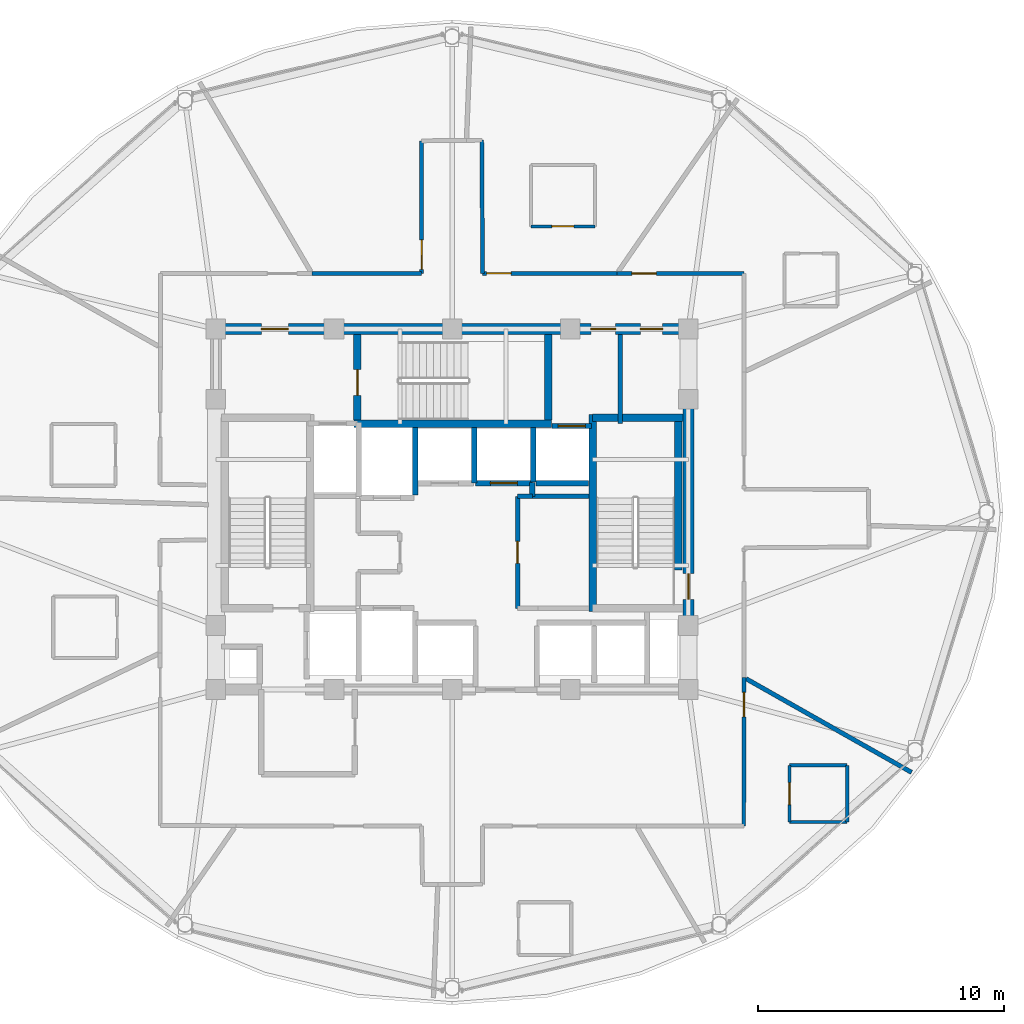
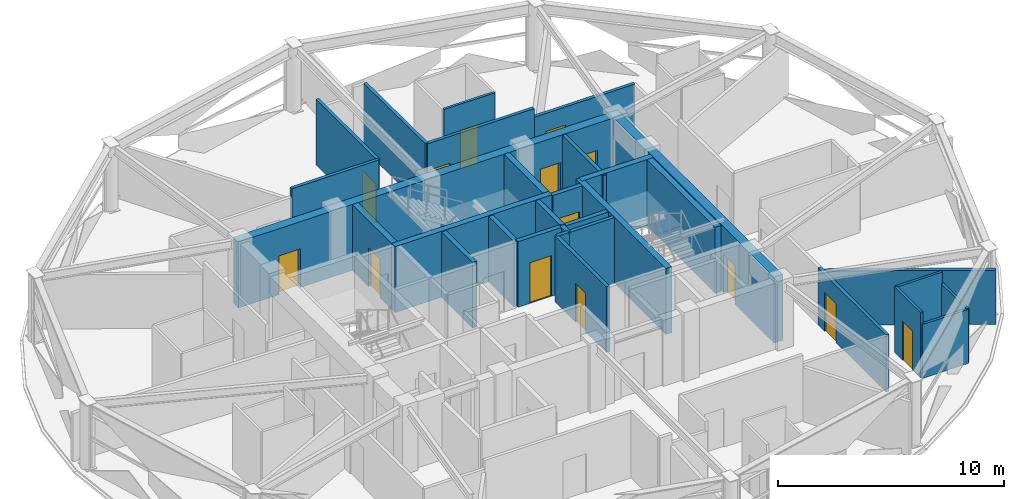
# One storey, part 23 of 28: 31 walls, 14 doors, 14 openings.
"""IFC4 building model written with IfcOpenShell, lengths in metres."""

from ifc_helpers import new_model, si_unit, direction, frame, frame_2d, origin, place, context, subcontext, project, spatial, rectangle, extrude, material, layer, layer_set, type_object, element, fill, save


model = new_model("IFC4")

# Units and contexts
model_context = context("Model", 3, precision=1e-05, world=origin(), true_north=direction((0.0, 1.0)))
body_context = subcontext(model_context, "Body", "Model", "MODEL_VIEW")
ifc_project = project(units=[si_unit("LENGTHUNIT", "METRE"), si_unit("AREAUNIT", "SQUARE_METRE"), si_unit("VOLUMEUNIT", "CUBIC_METRE"), si_unit("PLANEANGLEUNIT", "RADIAN"), si_unit("MASSUNIT", "GRAM", prefix="KILO")], contexts=[model_context])

# Site, building, storey
site_placement = place(None, origin())
site = spatial("IfcSite", under=ifc_project, at=site_placement, CompositionType="ELEMENT")
building_placement = place(site_placement, origin())
building = spatial("IfcBuilding", under=site, at=building_placement, Name="Vantalir Tower", CompositionType="ELEMENT")
storey_placement = place(building_placement, frame((0.0, 0.0, 238.64990234375)))
storey = spatial("IfcBuildingStorey", under=building, at=storey_placement, Name="L60", CompositionType="ELEMENT", Elevation=238.64990234375)

# Wall, opening, door
ifc_material_1 = material(Name="Moisture-resistant en-suite partition", Category="gypsum")
ifc_layer_1 = layer(ifc_material_1, 0.125)
ifc_layer_set_1 = layer_set([ifc_layer_1], Name="Moisture-resistant en-suite partition")
wall_type_1 = type_object("IfcWallType", Name="WL-BATH-125", PredefinedType="PARTITIONING", material=ifc_layer_set_1)
wall_1_placement = place(storey_placement, frame((34.701904296875, 36.623046875, 0.0), z_axis=(0.0, 0.0, 1.0), x_axis=(1.0, 0.0, 0.0)))
wall_1 = element("IfcWall", 1, at=wall_1_placement, inside=storey, type_object=wall_type_1, Name="L60 En-suite 02 South Wall", PredefinedType="PARTITIONING", context=body_context, shape_type="SweptSolid", body=[
    extrude(rectangle(XDim=2.60009765625, YDim=0.125, at=frame_2d((1.300048828125, 0.0))), origin(), (0.0, 0.0, 1.0), 3.550048828125),
])
opening_1_placement = place(wall_1_placement, frame((0.85009765625, 0.0, 0.0)))
opening_1 = element("IfcOpeningElement", 2, at=opening_1_placement, cuts=wall_1, Name="Opening D-WC", PredefinedType="OPENING", context=body_context, shape_type="SweptSolid", body=[
    extrude(rectangle(XDim=0.89990234375, YDim=2.10009765625, at=frame_2d((0.449951171875, 1.050048828125))), frame((0.0, 0.072509765625, 0.0), z_axis=(0.0, -1.0, 0.0), x_axis=(1.0, 0.0, 0.0)), (0.0, 0.0, 1.0), 0.14501953125),
])
ifc_material_2 = material(Name="Moisture-resistant hardwood door", Category="wood")
door_type_1 = type_object("IfcDoorType", Name="DR-ENSUITE-900", OperationType="NOTDEFINED", PredefinedType="DOOR", material=ifc_material_2)
door_1_placement = place(opening_1_placement, origin())
door_1 = element("IfcDoor", 3, at=door_1_placement, inside=storey, type_object=door_type_1, Name="L60 En-suite 02 Door", OperationType="SINGLE_SWING_LEFT", OverallHeight=2.10009765625, OverallWidth=0.89990234375, PredefinedType="DOOR", context=body_context, shape_type="SweptSolid", body=[
    extrude(rectangle(XDim=0.89990234375, YDim=2.10009765625, at=frame_2d((0.449951171875, 1.050048828125))), frame((0.0, 0.02490234375, 0.0), z_axis=(0.0, -1.0, 0.0), x_axis=(1.0, 0.0, 0.0)), (0.0, 0.0, 1.0), 0.050048828125),
])
fill(opening_1, door_1)

# Walls
wall_2_placement = place(storey_placement, frame((45.2060546875, 12.423095703125, 0.0), z_axis=(0.0, 0.0, 1.0), x_axis=(1.0, 0.0, 0.0)))
element("IfcWall", 4, at=wall_2_placement, inside=storey, type_object=wall_type_1, Name="L60 En-suite 10 South Wall", PredefinedType="PARTITIONING", context=body_context, shape_type="SweptSolid", body=[
    extrude(rectangle(XDim=2.349853515625, YDim=0.125, at=frame_2d((1.1748046875, 0.0))), origin(), (0.0, 0.0, 1.0), 2.925048828125),
])
wall_3_placement = place(storey_placement, frame((45.2060546875, 14.722900390625, 0.0), z_axis=(0.0, 0.0, 1.0), x_axis=(1.0, 0.0, 0.0)))
element("IfcWall", 5, at=wall_3_placement, inside=storey, type_object=wall_type_1, Name="L60 En-suite 10 North Wall", PredefinedType="PARTITIONING", context=body_context, shape_type="SweptSolid", body=[
    extrude(rectangle(XDim=2.349853515625, YDim=0.125, at=frame_2d((1.1748046875, 0.0))), origin(), (0.0, 0.0, 1.0), 3.550048828125),
])

# Wall, opening, door
wall_4_placement = place(storey_placement, frame((45.2060546875, 12.423095703125, 0.0), z_axis=(0.0, 0.0, 1.0), x_axis=(0.0, 1.0, 0.0)))
wall_4 = element("IfcWall", 6, at=wall_4_placement, inside=storey, type_object=wall_type_1, Name="L60 En-suite 10 West Wall", PredefinedType="PARTITIONING", context=body_context, shape_type="SweptSolid", body=[
    extrude(rectangle(XDim=2.2998046875, YDim=0.125, at=frame_2d((1.14990234375, 0.0))), origin(), (0.0, 0.0, 1.0), 3.550048828125),
])
opening_2_placement = place(wall_4_placement, frame((0.699951171875, 0.0, 0.0)))
opening_2 = element("IfcOpeningElement", 7, at=opening_2_placement, cuts=wall_4, Name="Opening D-WC", PredefinedType="OPENING", context=body_context, shape_type="SweptSolid", body=[
    extrude(rectangle(XDim=0.89990234375, YDim=2.10009765625, at=frame_2d((0.449951171875, 1.050048828125))), frame((0.0, 0.072509765625, 0.0), z_axis=(0.0, -1.0, 0.0), x_axis=(1.0, 0.0, 0.0)), (0.0, 0.0, 1.0), 0.14501953125),
])
door_2_placement = place(opening_2_placement, frame((0.89990234375, 0.0, 0.0), z_axis=(0.0, 0.0, 1.0), x_axis=(-1.0, 0.0, 0.0)))
door_2 = element("IfcDoor", 8, at=door_2_placement, inside=storey, type_object=door_type_1, Name="L60 En-suite 10 Door", OperationType="SINGLE_SWING_LEFT", OverallHeight=2.10009765625, OverallWidth=0.89990234375, PredefinedType="DOOR", context=body_context, shape_type="SweptSolid", body=[
    extrude(rectangle(XDim=0.89990234375, YDim=2.10009765625, at=frame_2d((0.449951171875, 1.050048828125))), frame((0.0, 0.02490234375, 0.0), z_axis=(0.0, -1.0, 0.0), x_axis=(1.0, 0.0, 0.0)), (0.0, 0.0, 1.0), 0.050048828125),
])
fill(opening_2, door_2)

# Wall
wall_5_placement = place(storey_placement, frame((47.555908203125, 12.423095703125, 0.0), z_axis=(0.0, 0.0, 1.0), x_axis=(0.0, 1.0, 0.0)))
element("IfcWall", 9, at=wall_5_placement, inside=storey, type_object=wall_type_1, Name="L60 En-suite 10 East Wall", PredefinedType="PARTITIONING", context=body_context, shape_type="SweptSolid", body=[
    extrude(rectangle(XDim=2.2998046875, YDim=0.125, at=frame_2d((1.14990234375, 0.0))), origin(), (0.0, 0.0, 1.0), 2.925048828125),
])

# Wall, openings, doors
ifc_material_3 = material(Name="Concrete C50/60", Category="concrete")
ifc_layer_2 = layer(ifc_material_3, 0.449951171875)
ifc_layer_set_2 = layer_set([ifc_layer_2], Name="Concrete C50/60")
wall_type_2 = type_object("IfcWallType", Name="WL-CORE-450", PredefinedType="SHEAR", material=ifc_layer_set_2)
wall_6_placement = place(storey_placement, frame((21.675048828125, 32.449951171875, 0.0), z_axis=(0.0, 0.0, 1.0), x_axis=(1.0, 0.0, 0.0)))
wall_6 = element("IfcWall", 10, at=wall_6_placement, inside=storey, type_object=wall_type_2, Name="L60 Core Shear Wall North", PredefinedType="SHEAR", context=body_context, shape_type="SweptSolid", body=[
    extrude(rectangle(XDim=19.64990234375, YDim=0.449951171875, at=frame_2d((9.824951171875, 0.0))), origin(), (0.0, 0.0, 1.0), 3.570068359375),
])
opening_3_placement = place(wall_6_placement, frame((2.074951171875, 0.0, 0.0)))
opening_3 = element("IfcOpeningElement", 11, at=opening_3_placement, cuts=wall_6, Name="Opening D-FFL", PredefinedType="OPENING", context=body_context, shape_type="SweptSolid", body=[
    extrude(rectangle(XDim=1.10009765625, YDim=2.10009765625, at=frame_2d((0.550048828125, 1.050048828125))), frame((0.0, 0.23486328125, 0.0), z_axis=(0.0, -1.0, 0.0), x_axis=(1.0, 0.0, 0.0)), (0.0, 0.0, 1.0), 0.469970703125),
])
opening_4_placement = place(wall_6_placement, frame((15.465087890625, 0.0, 0.0)))
opening_4 = element("IfcOpeningElement", 12, at=opening_4_placement, cuts=wall_6, Name="Opening D-GUEST", PredefinedType="OPENING", context=body_context, shape_type="SweptSolid", body=[
    extrude(rectangle(XDim=1.0, YDim=2.10009765625, at=frame_2d((0.5, 1.050048828125))), frame((0.0, 0.23486328125, 0.0), z_axis=(0.0, -1.0, 0.0), x_axis=(1.0, 0.0, 0.0)), (0.0, 0.0, 1.0), 0.469970703125),
])
opening_5_placement = place(wall_6_placement, frame((17.47509765625, 0.0, 0.0)))
opening_5 = element("IfcOpeningElement", 13, at=opening_5_placement, cuts=wall_6, Name="Opening D-CR", PredefinedType="OPENING", context=body_context, shape_type="SweptSolid", body=[
    extrude(rectangle(XDim=0.89990234375, YDim=2.10009765625, at=frame_2d((0.449951171875, 1.050048828125))), frame((0.0, 0.23486328125, 0.0), z_axis=(0.0, -1.0, 0.0), x_axis=(1.0, 0.0, 0.0)), (0.0, 0.0, 1.0), 0.469970703125),
])
ifc_material_4 = material(Name="Fire-rated steel core service door", Category="steel")
door_type_2 = type_object("IfcDoorType", Name="DR-CORE-SERV-900", OperationType="NOTDEFINED", PredefinedType="DOOR", material=ifc_material_4)
door_3_placement = place(opening_5_placement, frame((0.89990234375, 0.0, 0.0), z_axis=(0.0, 0.0, 1.0), x_axis=(-1.0, 0.0, 0.0)))
door_3 = element("IfcDoor", 14, at=door_3_placement, inside=storey, type_object=door_type_2, Name="L60 Housekeeping and Linen Room Door", OperationType="SINGLE_SWING_RIGHT", OverallHeight=2.10009765625, OverallWidth=0.89990234375, PredefinedType="DOOR", context=body_context, shape_type="SweptSolid", body=[
    extrude(rectangle(XDim=0.89990234375, YDim=2.10009765625, at=frame_2d((0.449951171875, 1.050048828125))), frame((0.0, 0.02490234375, 0.0), z_axis=(0.0, -1.0, 0.0), x_axis=(1.0, 0.0, 0.0)), (0.0, 0.0, 1.0), 0.050048828125),
])
fill(opening_5, door_3)
ifc_material_5 = material(Name="Fire-rated acoustic steel door", Category="steel")
door_type_3 = type_object("IfcDoorType", Name="DR-FIRE-LOBBY-1100", OperationType="NOTDEFINED", PredefinedType="DOOR", material=ifc_material_5)
door_4_placement = place(opening_3_placement, frame((1.10009765625, 0.0, 0.0), z_axis=(0.0, 0.0, 1.0), x_axis=(-1.0, 0.0, 0.0)))
door_4 = element("IfcDoor", 15, at=door_4_placement, inside=storey, type_object=door_type_3, Name="L60 Firefighting Lobby East Access Door", OperationType="SINGLE_SWING_RIGHT", OverallHeight=2.10009765625, OverallWidth=1.10009765625, PredefinedType="DOOR", context=body_context, shape_type="SweptSolid", body=[
    extrude(rectangle(XDim=1.10009765625, YDim=2.10009765625, at=frame_2d((0.550048828125, 1.050048828125))), frame((0.0, 0.02490234375, 0.0), z_axis=(0.0, -1.0, 0.0), x_axis=(1.0, 0.0, 0.0)), (0.0, 0.0, 1.0), 0.050048828125),
])
fill(opening_3, door_4)
ifc_material_6 = material(Name="Solid-core teak veneer acoustic fire door", Category="wood")
door_type_4 = type_object("IfcDoorType", Name="DR-GUEST-ENTRY-1000", OperationType="NOTDEFINED", PredefinedType="DOOR", material=ifc_material_6)
door_5_placement = place(opening_4_placement, frame((1.0, 0.0, 0.0), z_axis=(0.0, 0.0, 1.0), x_axis=(-1.0, 0.0, 0.0)))
door_5 = element("IfcDoor", 16, at=door_5_placement, inside=storey, type_object=door_type_4, Name="L60 High-Rise Lift Lobby Door", OperationType="SINGLE_SWING_LEFT", OverallHeight=2.10009765625, OverallWidth=1.0, PredefinedType="DOOR", context=body_context, shape_type="SweptSolid", body=[
    extrude(rectangle(XDim=1.0, YDim=2.10009765625, at=frame_2d((0.5, 1.050048828125))), frame((0.0, 0.02490234375, 0.0), z_axis=(0.0, -1.0, 0.0), x_axis=(1.0, 0.0, 0.0)), (0.0, 0.0, 1.0), 0.050048828125),
])
fill(opening_4, door_5)

# Wall, opening, door
wall_7_placement = place(storey_placement, frame((41.10009765625, 18.02490234375, 0.0), z_axis=(0.0, 0.0, 1.0), x_axis=(0.0, 1.0, 0.0)))
wall_7 = element("IfcWall", 17, at=wall_7_placement, inside=storey, type_object=wall_type_2, Name="L60 Core Shear Wall East", PredefinedType="SHEAR", context=body_context, shape_type="SweptSolid", body=[
    extrude(rectangle(XDim=14.2001953125, YDim=0.449951171875, at=frame_2d((7.10009765625, 0.0))), origin(), (0.0, 0.0, 1.0), 3.570068359375),
])
opening_6_placement = place(wall_7_placement, frame((3.43505859375, 0.0, 0.0)))
opening_6 = element("IfcOpeningElement", 18, at=opening_6_placement, cuts=wall_7, Name="Opening D-ST", PredefinedType="OPENING", context=body_context, shape_type="SweptSolid", body=[
    extrude(rectangle(XDim=1.050048828125, YDim=2.10009765625, at=frame_2d((0.52490234375, 1.050048828125))), frame((0.0, 0.23486328125, 0.0), z_axis=(0.0, -1.0, 0.0), x_axis=(1.0, 0.0, 0.0)), (0.0, 0.0, 1.0), 0.469970703125),
])
ifc_material_7 = material(Name="Fire-rated steel door leaf", Category="steel")
door_type_5 = type_object("IfcDoorType", Name="DR-FIRE-STAIR-1050", OperationType="NOTDEFINED", PredefinedType="DOOR", material=ifc_material_7)
door_6_placement = place(opening_6_placement, origin())
door_6 = element("IfcDoor", 19, at=door_6_placement, inside=storey, type_object=door_type_5, Name="L60 Exit Stair ST2 Fire Door", OperationType="SINGLE_SWING_LEFT", OverallHeight=2.10009765625, OverallWidth=1.050048828125, PredefinedType="DOOR", context=body_context, shape_type="SweptSolid", body=[
    extrude(rectangle(XDim=1.050048828125, YDim=2.10009765625, at=frame_2d((0.52490234375, 1.050048828125))), frame((0.0, 0.02490234375, 0.0), z_axis=(0.0, -1.0, 0.0), x_axis=(1.0, 0.0, 0.0)), (0.0, 0.0, 1.0), 0.050048828125),
])
fill(opening_6, door_6)

# Wall
ifc_material_8 = material(Name="Fire-rated hotel corridor acoustic partition", Category="gypsum")
ifc_layer_3 = layer(ifc_material_8, 0.159912109375)
ifc_layer_set_3 = layer_set([ifc_layer_3], Name="Fire-rated hotel corridor acoustic partition")
wall_type_3 = type_object("IfcWallType", Name="WL-CORR-160", PredefinedType="PARTITIONING", material=ifc_layer_set_3)
wall_8_placement = place(storey_placement, frame((25.799072265625, 34.708984375, 0.0), z_axis=(0.0, 0.0, 1.0), x_axis=(0.999999063997, 0.00136821238, 0.0)))
element("IfcWall", 20, at=wall_8_placement, inside=storey, type_object=wall_type_3, Name="L60 Corridor Partition 05", PredefinedType="PARTITIONING", context=body_context, shape_type="SweptSolid", body=[
    extrude(rectangle(XDim=4.4609375, YDim=0.159912109375, at=frame_2d((2.23046875, 0.0))), origin(), (0.0, 0.0, 1.0), 3.550048828125),
])

# Wall, opening, door
wall_9_placement = place(storey_placement, frame((30.260009765625, 34.715087890625, 0.0), z_axis=(0.0, 0.0, 1.0), x_axis=(0.000544266973, 0.999999851887, 0.0)))
wall_9 = element("IfcWall", 21, at=wall_9_placement, inside=storey, type_object=wall_type_3, Name="L60 Corridor Partition 06", PredefinedType="PARTITIONING", context=body_context, shape_type="SweptSolid", body=[
    extrude(rectangle(XDim=5.3828125, YDim=0.159912109375, at=frame_2d((2.69140625, 0.0))), origin(), (0.0, 0.0, 1.0), 3.550048828125),
])
opening_7_placement = place(wall_9_placement, frame((0.159912109375, 0.0, 0.0)))
opening_7 = element("IfcOpeningElement", 22, at=opening_7_placement, cuts=wall_9, Name="Opening D-STE", PredefinedType="OPENING", context=body_context, shape_type="SweptSolid", body=[
    extrude(rectangle(XDim=1.199951171875, YDim=2.10009765625, at=frame_2d((0.60009765625, 1.050048828125))), frame((0.0, 0.08984375, 0.0), z_axis=(0.0, -1.0, 0.0), x_axis=(1.0, 0.0, 0.0)), (0.0, 0.0, 1.0), 0.179931640625),
])
ifc_material_9 = material(Name="Solid-core teak veneer suite entrance door", Category="wood")
door_type_6 = type_object("IfcDoorType", Name="DR-SUITE-ENTRY-1200", OperationType="NOTDEFINED", PredefinedType="DOOR", material=ifc_material_9)
door_7_placement = place(opening_7_placement, origin())
door_7 = element("IfcDoor", 23, at=door_7_placement, inside=storey, type_object=door_type_6, Name="L60 Club Reading Lounge 03 Door", OperationType="SINGLE_SWING_LEFT", OverallHeight=2.10009765625, OverallWidth=1.199951171875, PredefinedType="DOOR", context=body_context, shape_type="SweptSolid", body=[
    extrude(rectangle(XDim=1.199951171875, YDim=2.10009765625, at=frame_2d((0.60009765625, 1.050048828125))), frame((0.0, 0.02490234375, 0.0), z_axis=(0.0, -1.0, 0.0), x_axis=(1.0, 0.0, 0.0)), (0.0, 0.0, 1.0), 0.050048828125),
])
fill(opening_7, door_7)

# Wall
wall_10_placement = place(storey_placement, frame((32.7041015625, 40.123046875, 0.0), z_axis=(0.0, 0.0, 1.0), x_axis=(0.006636123117, -0.999977980693, 0.0)))
element("IfcWall", 24, at=wall_10_placement, inside=storey, type_object=wall_type_3, Name="L60 Corridor Partition 09", PredefinedType="PARTITIONING", context=body_context, shape_type="SweptSolid", body=[
    extrude(rectangle(XDim=5.407958984375, YDim=0.159912109375, at=frame_2d((2.7041015625, 0.0))), origin(), (0.0, 0.0, 1.0), 3.550048828125),
])

# Wall, opening, door
wall_11_placement = place(storey_placement, frame((32.739990234375, 34.715087890625, 0.0), z_axis=(0.0, 0.0, 1.0), x_axis=(0.999999374963, -0.00111806728, 0.0)))
wall_11 = element("IfcWall", 25, at=wall_11_placement, inside=storey, type_object=wall_type_3, Name="L60 Corridor Partition 10", PredefinedType="PARTITIONING", context=body_context, shape_type="SweptSolid", body=[
    extrude(rectangle(XDim=5.458984375, YDim=0.159912109375, at=frame_2d((2.7294921875, 0.0))), origin(), (0.0, 0.0, 1.0), 3.550048828125),
])
opening_8_placement = place(wall_11_placement, frame((0.159912109375, 0.0, 0.0)))
opening_8 = element("IfcOpeningElement", 26, at=opening_8_placement, cuts=wall_11, Name="Opening D-GUEST", PredefinedType="OPENING", context=body_context, shape_type="SweptSolid", body=[
    extrude(rectangle(XDim=1.0, YDim=2.10009765625, at=frame_2d((0.5, 1.050048828125))), frame((0.0, 0.08984375, 0.0), z_axis=(0.0, -1.0, 0.0), x_axis=(1.0, 0.0, 0.0)), (0.0, 0.0, 1.0), 0.179931640625),
])
door_8_placement = place(opening_8_placement, origin())
door_8 = element("IfcDoor", 27, at=door_8_placement, inside=storey, type_object=door_type_4, Name="L60 Deluxe King Hotel Room 02 Door", OperationType="SINGLE_SWING_RIGHT", OverallHeight=2.10009765625, OverallWidth=1.0, PredefinedType="DOOR", context=body_context, shape_type="SweptSolid", body=[
    extrude(rectangle(XDim=1.0, YDim=2.10009765625, at=frame_2d((0.5, 1.050048828125))), frame((0.0, 0.02490234375, 0.0), z_axis=(0.0, -1.0, 0.0), x_axis=(1.0, 0.0, 0.0)), (0.0, 0.0, 1.0), 0.050048828125),
])
fill(opening_8, door_8)

wall_12_placement = place(storey_placement, frame((38.198974609375, 34.708984375, 0.0), z_axis=(0.0, 0.0, 1.0), x_axis=(0.999999298816, -0.001184215929, 0.0)))
wall_12 = element("IfcWall", 28, at=wall_12_placement, inside=storey, type_object=wall_type_3, Name="L60 Corridor Partition 11", PredefinedType="PARTITIONING", context=body_context, shape_type="SweptSolid", body=[
    extrude(rectangle(XDim=5.154052734375, YDim=0.159912109375, at=frame_2d((2.5771484375, 0.0))), origin(), (0.0, 0.0, 1.0), 3.0810546875),
])
opening_9_placement = place(wall_12_placement, frame((0.60205078125, 0.0, 0.0)))
opening_9 = element("IfcOpeningElement", 29, at=opening_9_placement, cuts=wall_12, Name="Opening D-GUEST", PredefinedType="OPENING", context=body_context, shape_type="SweptSolid", body=[
    extrude(rectangle(XDim=1.0, YDim=2.10009765625, at=frame_2d((0.5, 1.050048828125))), frame((0.0, 0.08984375, 0.0), z_axis=(0.0, -1.0, 0.0), x_axis=(1.0, 0.0, 0.0)), (0.0, 0.0, 1.0), 0.179931640625),
])
door_9_placement = place(opening_9_placement, origin())
door_9 = element("IfcDoor", 30, at=door_9_placement, inside=storey, type_object=door_type_4, Name="L60 Twin Queen Hotel Room 01 Door", OperationType="SINGLE_SWING_LEFT", OverallHeight=2.10009765625, OverallWidth=1.0, PredefinedType="DOOR", context=body_context, shape_type="SweptSolid", body=[
    extrude(rectangle(XDim=1.0, YDim=2.10009765625, at=frame_2d((0.5, 1.050048828125))), frame((0.0, 0.02490234375, 0.0), z_axis=(0.0, -1.0, 0.0), x_axis=(1.0, 0.0, 0.0)), (0.0, 0.0, 1.0), 0.050048828125),
])
fill(opening_9, door_9)

wall_13_placement = place(storey_placement, frame((43.35791015625, 18.2900390625, 0.0), z_axis=(0.0, 0.0, 1.0), x_axis=(-0.001295388137, -0.999999160984, 0.0)))
wall_13 = element("IfcWall", 31, at=wall_13_placement, inside=storey, type_object=wall_type_3, Name="L60 Corridor Partition 19", PredefinedType="PARTITIONING", context=body_context, shape_type="SweptSolid", body=[
    extrude(rectangle(XDim=6.031005859375, YDim=0.159912109375, at=frame_2d((3.015625, 0.0))), origin(), (0.0, 0.0, 1.0), 3.0810546875),
])
opening_10_placement = place(wall_13_placement, frame((0.60205078125, 0.0, 0.0)))
opening_10 = element("IfcOpeningElement", 32, at=opening_10_placement, cuts=wall_13, Name="Opening D-GUEST", PredefinedType="OPENING", context=body_context, shape_type="SweptSolid", body=[
    extrude(rectangle(XDim=1.0, YDim=2.10009765625, at=frame_2d((0.5, 1.050048828125))), frame((0.0, 0.08984375, 0.0), z_axis=(0.0, -1.0, 0.0), x_axis=(1.0, 0.0, 0.0)), (0.0, 0.0, 1.0), 0.179931640625),
])
door_10_placement = place(opening_10_placement, origin())
door_10 = element("IfcDoor", 33, at=door_10_placement, inside=storey, type_object=door_type_4, Name="L60 Deluxe King Hotel Room 10 Door", OperationType="SINGLE_SWING_RIGHT", OverallHeight=2.10009765625, OverallWidth=1.0, PredefinedType="DOOR", context=body_context, shape_type="SweptSolid", body=[
    extrude(rectangle(XDim=1.0, YDim=2.10009765625, at=frame_2d((0.5, 1.050048828125))), frame((0.0, 0.02490234375, 0.0), z_axis=(0.0, -1.0, 0.0), x_axis=(1.0, 0.0, 0.0)), (0.0, 0.0, 1.0), 0.050048828125),
])
fill(opening_10, door_10)

# Walls
ifc_material_10 = material(Name="Concrete blockwork with fireboard lining", Category="masonry")
ifc_layer_4 = layer(ifc_material_10, 0.219970703125)
ifc_layer_set_4 = layer_set([ifc_layer_4], Name="Concrete blockwork with fireboard lining")
wall_type_4 = type_object("IfcWallType", Name="WL-FFL-220", PredefinedType="PARTITIONING", material=ifc_layer_set_4)
wall_14_placement = place(storey_placement, frame((30.0, 25.7099609375, 0.0), z_axis=(0.0, 0.0, 1.0), x_axis=(0.0, 1.0, 0.0)))
element("IfcWall", 34, at=wall_14_placement, inside=storey, type_object=wall_type_4, Name="L60 Service Lift SV2 East Shaft Wall", PredefinedType="PARTITIONING", context=body_context, shape_type="SweptSolid", body=[
    extrude(rectangle(XDim=2.72998046875, YDim=0.219970703125, at=frame_2d((1.364990234375, 0.0))), origin(), (0.0, 0.0, 1.0), 3.545166015625),
])
wall_15_placement = place(storey_placement, frame((32.39990234375, 26.199951171875, 0.0), z_axis=(0.0, 0.0, 1.0), x_axis=(0.0, 1.0, 0.0)))
element("IfcWall", 35, at=wall_15_placement, inside=storey, type_object=wall_type_4, Name="L60 High-Rise Lift PL-H1/H2 Shaft Divider", PredefinedType="PARTITIONING", context=body_context, shape_type="SweptSolid", body=[
    extrude(rectangle(XDim=2.239990234375, YDim=0.219970703125, at=frame_2d((1.1201171875, 0.0))), origin(), (0.0, 0.0, 1.0), 3.545166015625),
])
wall_16_placement = place(storey_placement, frame((34.800048828125, 26.22998046875, 0.0), z_axis=(0.0, 0.0, 1.0), x_axis=(0.0, 1.0, 0.0)))
element("IfcWall", 36, at=wall_16_placement, inside=storey, type_object=wall_type_4, Name="L60 High-Rise Lift PL-H2/H3 Shaft Divider", PredefinedType="PARTITIONING", context=body_context, shape_type="SweptSolid", body=[
    extrude(rectangle(XDim=2.2099609375, YDim=0.219970703125, at=frame_2d((1.10498046875, 0.0))), origin(), (0.0, 0.0, 1.0), 3.545166015625),
])
wall_17_placement = place(storey_placement, frame((34.909912109375, 26.18994140625, 0.0), z_axis=(0.0, 0.0, 1.0), x_axis=(1.0, 0.0, 0.0)))
element("IfcWall", 37, at=wall_17_placement, inside=storey, type_object=wall_type_4, Name="L60 High-Rise Lift PL-H3 Rear Shaft Wall", PredefinedType="PARTITIONING", context=body_context, shape_type="SweptSolid", body=[
    extrude(rectangle(XDim=2.14013671875, YDim=0.219970703125, at=frame_2d((1.070068359375, 0.0))), origin(), (0.0, 0.0, 1.0), 3.545166015625),
])

# Wall, opening, door
wall_18_placement = place(storey_placement, frame((32.43994140625, 26.18994140625, 0.0), z_axis=(0.0, 0.0, 1.0), x_axis=(1.0, 0.0, 0.0)))
wall_18 = element("IfcWall", 38, at=wall_18_placement, inside=storey, type_object=wall_type_4, Name="L60 Lift PL-H2 Shaft Front Wall", PredefinedType="PARTITIONING", context=body_context, shape_type="SweptSolid", body=[
    extrude(rectangle(XDim=2.320068359375, YDim=0.219970703125, at=frame_2d((1.16015625, 0.0))), origin(), (0.0, 0.0, 1.0), 3.550048828125),
])
opening_11_placement = place(wall_18_placement, frame((0.610107421875, 0.0, 0.0)))
opening_11 = element("IfcOpeningElement", 39, at=opening_11_placement, cuts=wall_18, Name="Opening LD-PL-H2", PredefinedType="OPENING", context=body_context, shape_type="SweptSolid", body=[
    extrude(rectangle(XDim=1.10009765625, YDim=2.199951171875, at=frame_2d((0.550048828125, 1.10009765625))), frame((0.0, 0.119873046875, 0.0), z_axis=(0.0, -1.0, 0.0), x_axis=(1.0, 0.0, 0.0)), (0.0, 0.0, 1.0), 0.239990234375),
])
ifc_material_11 = material(Name="Brushed stainless-steel sliding lift landing door", Category="steel")
door_type_7 = type_object("IfcDoorType", Name="DR-LIFT-LANDING-1100", OperationType="DOUBLE_DOOR_SLIDING", PredefinedType="DOOR", material=ifc_material_11)
door_11_placement = place(opening_11_placement, frame((1.10009765625, 0.0, 0.0), z_axis=(0.0, 0.0, 1.0), x_axis=(-1.0, 0.0, 0.0)))
door_11 = element("IfcDoor", 40, at=door_11_placement, inside=storey, type_object=door_type_7, Name="L60 Lift Landing Door PL-H2", OperationType="DOUBLE_DOOR_SLIDING", OverallHeight=2.199951171875, OverallWidth=1.10009765625, PredefinedType="DOOR", context=body_context, shape_type="SweptSolid", body=[
    extrude(rectangle(XDim=1.10009765625, YDim=2.199951171875, at=frame_2d((0.550048828125, 1.10009765625))), frame((0.0, 0.02490234375, 0.0), z_axis=(0.0, -1.0, 0.0), x_axis=(1.0, 0.0, 0.0)), (0.0, 0.0, 1.0), 0.050048828125),
])
fill(opening_11, door_11)

wall_19_placement = place(storey_placement, frame((35.56005859375, 28.510009765625, 0.0), z_axis=(0.0, 0.0, 1.0), x_axis=(1.0, 0.0, 0.0)))
wall_19 = element("IfcWall", 41, at=wall_19_placement, inside=storey, type_object=wall_type_4, Name="L60 Lift PL-H3 Shaft Front Wall", PredefinedType="PARTITIONING", context=body_context, shape_type="SweptSolid", body=[
    extrude(rectangle(XDim=1.599853515625, YDim=0.219970703125, at=frame_2d((0.7998046875, 0.0))), origin(), (0.0, 0.0, 1.0), 3.550048828125),
])
opening_12_placement = place(wall_19_placement, frame((0.25, 0.0, 0.0)))
opening_12 = element("IfcOpeningElement", 42, at=opening_12_placement, cuts=wall_19, Name="Opening LD-PL-H3", PredefinedType="OPENING", context=body_context, shape_type="SweptSolid", body=[
    extrude(rectangle(XDim=1.10009765625, YDim=2.199951171875, at=frame_2d((0.550048828125, 1.10009765625))), frame((0.0, 0.119873046875, 0.0), z_axis=(0.0, -1.0, 0.0), x_axis=(1.0, 0.0, 0.0)), (0.0, 0.0, 1.0), 0.239990234375),
])
door_12_placement = place(opening_12_placement, origin())
door_12 = element("IfcDoor", 43, at=door_12_placement, inside=storey, type_object=door_type_7, Name="L60 Lift Landing Door PL-H3", OperationType="DOUBLE_DOOR_SLIDING", OverallHeight=2.199951171875, OverallWidth=1.10009765625, PredefinedType="DOOR", context=body_context, shape_type="SweptSolid", body=[
    extrude(rectangle(XDim=1.10009765625, YDim=2.199951171875, at=frame_2d((0.550048828125, 1.10009765625))), frame((0.0, 0.02490234375, 0.0), z_axis=(0.0, -1.0, 0.0), x_axis=(1.0, 0.0, 0.0)), (0.0, 0.0, 1.0), 0.050048828125),
])
fill(opening_12, door_12)

# Walls
wall_20_placement = place(storey_placement, frame((34.760009765625, 25.64990234375, 0.0), z_axis=(0.0, 0.0, 1.0), x_axis=(0.0, 1.0, 0.0)))
element("IfcWall", 44, at=wall_20_placement, inside=storey, type_object=wall_type_4, Name="L60 High-Rise Shaft Shoulder Wall", PredefinedType="PARTITIONING", context=body_context, shape_type="SweptSolid", body=[
    extrude(rectangle(XDim=0.570068359375, YDim=0.219970703125, at=frame_2d((0.28515625, 0.0))), origin(), (0.0, 0.0, 1.0), 3.550048828125),
])
ifc_material_12 = material(Name="Twin-stud acoustic fire-rated gypsum partition", Category="gypsum")
ifc_layer_5 = layer(ifc_material_12, 0.179931640625)
ifc_layer_set_5 = layer_set([ifc_layer_5], Name="Twin-stud acoustic fire-rated gypsum partition")
wall_type_5 = type_object("IfcWallType", Name="WL-GUEST-180", PredefinedType="PARTITIONING", material=ifc_layer_set_5)
wall_21_placement = place(storey_placement, frame((34.719970703125, 25.64990234375, 0.0), z_axis=(0.0, 0.0, 1.0), x_axis=(1.0, 0.0, 0.0)))
element("IfcWall", 45, at=wall_21_placement, inside=storey, type_object=wall_type_5, Name="L60 Freed East Core North Wall", PredefinedType="PARTITIONING", context=body_context, shape_type="SweptSolid", body=[
    extrude(rectangle(XDim=2.340087890625, YDim=0.179931640625, at=frame_2d((1.169921875, 0.0))), origin(), (0.0, 0.0, 1.0), 3.550048828125),
])
wall_22_placement = place(storey_placement, frame((34.159912109375, 25.64990234375, 0.0), z_axis=(0.0, 0.0, 1.0), x_axis=(1.0, 0.0, 0.0)))
element("IfcWall", 46, at=wall_22_placement, inside=storey, type_object=wall_type_5, Name="L60 East IT Room North Return", PredefinedType="PARTITIONING", context=body_context, shape_type="SweptSolid", body=[
    extrude(rectangle(XDim=0.60009765625, YDim=0.179931640625, at=frame_2d((0.300048828125, 0.0))), origin(), (0.0, 0.0, 1.0), 3.550048828125),
])

# Wall, opening, door
wall_23_placement = place(storey_placement, frame((34.159912109375, 21.10009765625, 0.0), z_axis=(0.0, 0.0, 1.0), x_axis=(0.0, 1.0, 0.0)))
wall_23 = element("IfcWall", 47, at=wall_23_placement, inside=storey, type_object=wall_type_5, Name="L60 East IT Room West Wall", PredefinedType="PARTITIONING", context=body_context, shape_type="SweptSolid", body=[
    extrude(rectangle(XDim=4.5498046875, YDim=0.179931640625, at=frame_2d((2.27490234375, 0.0))), origin(), (0.0, 0.0, 1.0), 3.550048828125),
])
opening_13_placement = place(wall_23_placement, frame((1.824951171875, 0.0, 0.0)))
opening_13 = element("IfcOpeningElement", 48, at=opening_13_placement, cuts=wall_23, Name="Opening D-CR", PredefinedType="OPENING", context=body_context, shape_type="SweptSolid", body=[
    extrude(rectangle(XDim=0.89990234375, YDim=2.10009765625, at=frame_2d((0.449951171875, 1.050048828125))), frame((0.0, 0.099853515625, 0.0), z_axis=(0.0, -1.0, 0.0), x_axis=(1.0, 0.0, 0.0)), (0.0, 0.0, 1.0), 0.199951171875),
])
door_13_placement = place(opening_13_placement, frame((0.89990234375, 0.0, 0.0), z_axis=(0.0, 0.0, 1.0), x_axis=(-1.0, 0.0, 0.0)))
door_13 = element("IfcDoor", 49, at=door_13_placement, inside=storey, type_object=door_type_2, Name="L60 Core Data Switchroom Door", OperationType="SINGLE_SWING_RIGHT", OverallHeight=2.10009765625, OverallWidth=0.89990234375, PredefinedType="DOOR", context=body_context, shape_type="SweptSolid", body=[
    extrude(rectangle(XDim=0.89990234375, YDim=2.10009765625, at=frame_2d((0.449951171875, 1.050048828125))), frame((0.0, 0.02490234375, 0.0), z_axis=(0.0, -1.0, 0.0), x_axis=(1.0, 0.0, 0.0)), (0.0, 0.0, 1.0), 0.050048828125),
])
fill(opening_13, door_13)

# Walls
wall_24_placement = place(storey_placement, frame((38.340087890625, 28.6201171875, 0.0), z_axis=(0.0, 0.0, 1.0), x_axis=(0.0, 1.0, 0.0)))
element("IfcWall", 50, at=wall_24_placement, inside=storey, type_object=wall_type_5, Name="L60 High-Rise Lift Lobby East Wall", PredefinedType="PARTITIONING", context=body_context, shape_type="SweptSolid", body=[
    extrude(rectangle(XDim=3.60498046875, YDim=0.179931640625, at=frame_2d((1.802490234375, 0.0))), origin(), (0.0, 0.0, 1.0), 3.550048828125),
])
wall_25_placement = place(storey_placement, frame((43.43994140625, 18.242919921875, 0.0), z_axis=(0.0, 0.0, 1.0), x_axis=(0.870312783113, -0.492499400559, 0.0)))
element("IfcWall", 51, at=wall_25_placement, inside=storey, type_object=wall_type_5, Name="L60 Radial Suite Partition 11", PredefinedType="PARTITIONING", context=body_context, shape_type="SweptSolid", body=[
    extrude(rectangle(XDim=7.731689453125, YDim=0.179931640625, at=frame_2d((3.86572265625, 0.0))), origin(), (0.0, 0.0, 1.0), 2.925048828125),
])
ifc_layer_6 = layer(ifc_material_3, 0.300048828125)
ifc_layer_set_6 = layer_set([ifc_layer_6], Name="Concrete C50/60")
wall_type_6 = type_object("IfcWallType", Name="WL-STAIR-300", PredefinedType="SHEAR", material=ifc_layer_set_6)
wall_26_placement = place(storey_placement, frame((37.2099609375, 28.85009765625, 0.0), z_axis=(0.0, 0.0, 1.0), x_axis=(1.0, 0.0, 0.0)))
element("IfcWall", 52, at=wall_26_placement, inside=storey, type_object=wall_type_6, Name="L60 Stair ST2 North Wall", PredefinedType="SHEAR", context=body_context, shape_type="SweptSolid", body=[
    extrude(rectangle(XDim=3.6650390625, YDim=0.300048828125, at=frame_2d((1.83251953125, 0.0))), origin(), (0.0, 0.0, 1.0), 3.570068359375),
])
wall_27_placement = place(storey_placement, frame((37.2099609375, 20.97998046875, 0.0), z_axis=(0.0, 0.0, 1.0), x_axis=(0.0, 1.0, 0.0)))
element("IfcWall", 53, at=wall_27_placement, inside=storey, type_object=wall_type_6, Name="L60 Stair ST2 West Wall", PredefinedType="SHEAR", context=body_context, shape_type="SweptSolid", body=[
    extrude(rectangle(XDim=7.989990234375, YDim=0.300048828125, at=frame_2d((3.9951171875, 0.0))), origin(), (0.0, 0.0, 1.0), 3.570068359375),
])
wall_28_placement = place(storey_placement, frame((40.68994140625, 22.64990234375, 0.0), z_axis=(0.0, 0.0, 1.0), x_axis=(0.0, 1.0, 0.0)))
element("IfcWall", 54, at=wall_28_placement, inside=storey, type_object=wall_type_6, Name="L60 Stair ST2 East Liner Wall", PredefinedType="SHEAR", context=body_context, shape_type="SweptSolid", body=[
    extrude(rectangle(XDim=6.2001953125, YDim=0.300048828125, at=frame_2d((3.10009765625, 0.0))), origin(), (0.0, 0.0, 1.0), 3.570068359375),
])
wall_29_placement = place(storey_placement, frame((27.510009765625, 28.60009765625, 0.0), z_axis=(0.0, 0.0, 1.0), x_axis=(1.0, 0.0, 0.0)))
element("IfcWall", 55, at=wall_29_placement, inside=storey, type_object=wall_type_6, Name="L60 Stair ST3 South Wall", PredefinedType="SHEAR", context=body_context, shape_type="SweptSolid", body=[
    extrude(rectangle(XDim=8.030029296875, YDim=0.300048828125, at=frame_2d((4.01513671875, 0.0))), origin(), (0.0, 0.0, 1.0), 3.570068359375),
])

# Wall, opening, door
wall_30_placement = place(storey_placement, frame((27.64990234375, 28.75, 0.0), z_axis=(0.0, 0.0, 1.0), x_axis=(0.0, 1.0, 0.0)))
wall_30 = element("IfcWall", 56, at=wall_30_placement, inside=storey, type_object=wall_type_6, Name="L60 Stair ST3 West Wall", PredefinedType="SHEAR", context=body_context, shape_type="SweptSolid", body=[
    extrude(rectangle(XDim=3.47509765625, YDim=0.300048828125, at=frame_2d((1.737548828125, 0.0))), origin(), (0.0, 0.0, 1.0), 3.570068359375),
])
opening_14_placement = place(wall_30_placement, frame((1.0, 0.0, 0.0)))
opening_14 = element("IfcOpeningElement", 57, at=opening_14_placement, cuts=wall_30, Name="Opening D-ST", PredefinedType="OPENING", context=body_context, shape_type="SweptSolid", body=[
    extrude(rectangle(XDim=1.050048828125, YDim=2.10009765625, at=frame_2d((0.52490234375, 1.050048828125))), frame((0.0, 0.159912109375, 0.0), z_axis=(0.0, -1.0, 0.0), x_axis=(1.0, 0.0, 0.0)), (0.0, 0.0, 1.0), 0.320068359375),
])
door_14_placement = place(opening_14_placement, frame((1.050048828125, 0.0, 0.0), z_axis=(0.0, 0.0, 1.0), x_axis=(-1.0, 0.0, 0.0)))
door_14 = element("IfcDoor", 58, at=door_14_placement, inside=storey, type_object=door_type_5, Name="L60 Exit Stair ST3 Fire Door", OperationType="SINGLE_SWING_LEFT", OverallHeight=2.10009765625, OverallWidth=1.050048828125, PredefinedType="DOOR", context=body_context, shape_type="SweptSolid", body=[
    extrude(rectangle(XDim=1.050048828125, YDim=2.10009765625, at=frame_2d((0.52490234375, 1.050048828125))), frame((0.0, 0.02490234375, 0.0), z_axis=(0.0, -1.0, 0.0), x_axis=(1.0, 0.0, 0.0)), (0.0, 0.0, 1.0), 0.050048828125),
])
fill(opening_14, door_14)

# Wall
wall_31_placement = place(storey_placement, frame((35.39990234375, 28.75, 0.0), z_axis=(0.0, 0.0, 1.0), x_axis=(0.0, 1.0, 0.0)))
element("IfcWall", 59, at=wall_31_placement, inside=storey, type_object=wall_type_6, Name="L60 Stair ST3 East Wall", PredefinedType="SHEAR", context=body_context, shape_type="SweptSolid", body=[
    extrude(rectangle(XDim=3.47509765625, YDim=0.300048828125, at=frame_2d((1.737548828125, 0.0))), origin(), (0.0, 0.0, 1.0), 3.570068359375),
])

save(model, "model.ifc")
